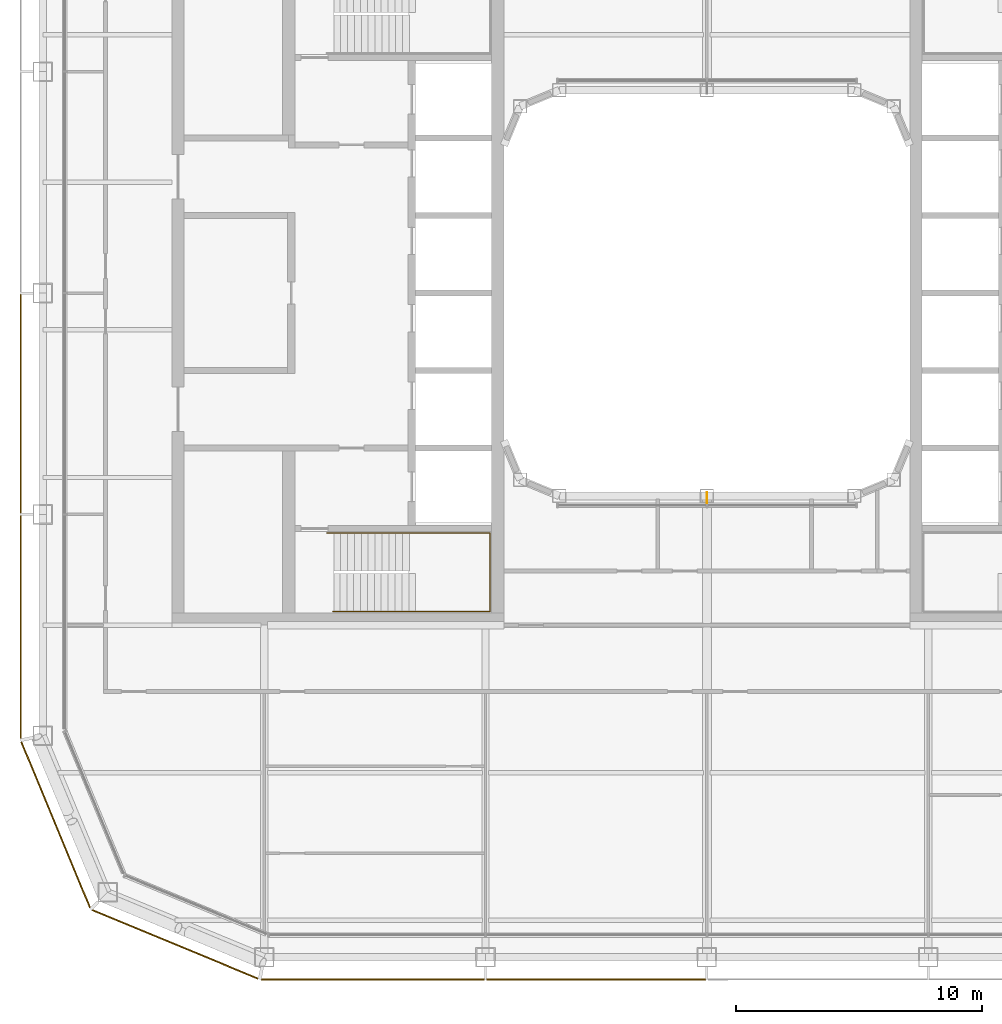
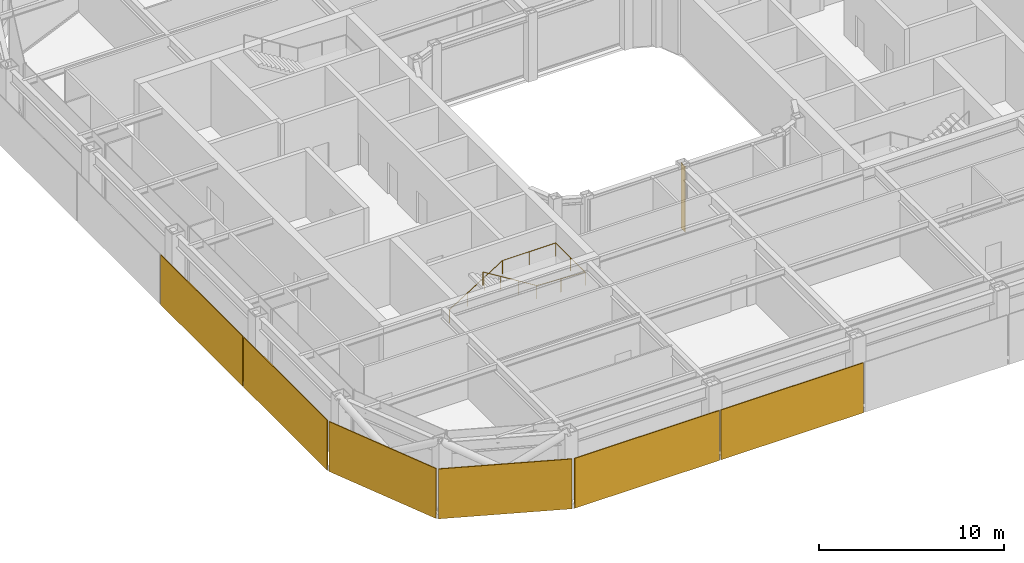
# One storey, part 19 of 23: 6 coverings, 1 railing, 1 shading device.
"""IFC4 building model written with IfcOpenShell, lengths in metres."""

from ifc_helpers import new_model, si_unit, direction, frame, origin, origin_2d, place, context, subcontext, project, spatial, rectangle, circle, extrude, material, layer, layer_set, type_object, element, save


model = new_model("IFC4")

# Units and contexts
model_context = context("Model", 3, precision=1e-05, world=origin(), true_north=direction((0.0, 1.0)))
body_context = subcontext(model_context, "Body", "Model", "MODEL_VIEW")
ifc_project = project(units=[si_unit("LENGTHUNIT", "METRE"), si_unit("AREAUNIT", "SQUARE_METRE"), si_unit("VOLUMEUNIT", "CUBIC_METRE"), si_unit("PLANEANGLEUNIT", "RADIAN"), si_unit("MASSUNIT", "GRAM", prefix="KILO")], contexts=[model_context])

# Site, building, storey
site_placement = place(None, origin())
site = spatial("IfcSite", under=ifc_project, at=site_placement, CompositionType="ELEMENT")
building_placement = place(site_placement, origin())
building = spatial("IfcBuilding", under=site, at=building_placement, Name="Siwar Civic Tower", CompositionType="ELEMENT")
storey_placement = place(building_placement, frame((0.0, 0.0, 260.199951171875)))
storey = spatial("IfcBuildingStorey", under=building, at=storey_placement, Name="L56", CompositionType="ELEMENT", Elevation=260.199951171875)

# Railing
ifc_material_1 = material(Name="Stainless steel", Category="steel")
railing_type = type_object("IfcRailingType", Name="CORE-STAIR-HANDRAIL", PredefinedType="HANDRAIL", material=ifc_material_1)
railing_placement = place(storey_placement, frame((-15.449951171875, -9.758056640625, 0.173095703125)))
element("IfcRailing", 1, at=railing_placement, inside=storey, type_object=railing_type, Name="Stair handrail ST2", PredefinedType="HANDRAIL", context=body_context, shape_type="SweptSolid", body=[
    extrude(circle(Radius=0.02001953125, at=origin_2d()), frame((0.0, 0.0, 0.8798828125), z_axis=(0.847063342986, 0.0, 0.531491950051), x_axis=(0.0, 1.0, 0.0)), (0.0, 0.0, 1.0), 3.90771484375),
    extrude(circle(Radius=0.02001953125, at=origin_2d()), frame((3.31005859375, 0.0, 2.956787109375), z_axis=(1.0, 0.0, 0.0), x_axis=(0.0, 1.0, 0.0)), (0.0, 0.0, 1.0), 3.331787109375),
    extrude(circle(Radius=0.02001953125, at=origin_2d()), frame((6.641845703125, 0.0, 2.956787109375), z_axis=(0.0, -1.0, 0.0), x_axis=(1.0, 0.0, 0.0)), (0.0, 0.0, 1.0), 3.183837890625),
    extrude(circle(Radius=0.02001953125, at=origin_2d()), frame((6.641845703125, -3.183837890625, 2.956787109375), z_axis=(-0.99837434197, 0.0, 0.056997134106), x_axis=(0.0, -1.0, 0.0)), (0.0, 0.0, 1.0), 3.036865234375),
    extrude(circle(Radius=0.02001953125, at=origin_2d()), frame((3.60986328125, -3.183837890625, 3.1298828125), z_axis=(-0.850606129759, 0.0, 0.525803396734), x_axis=(0.0, -1.0, 0.0)), (0.0, 0.0, 1.0), 3.949951171875),
    extrude(circle(Radius=0.02001953125, at=origin_2d()), origin(), (0.0, 0.0, 1.0), 0.85986328125),
    extrude(circle(Radius=0.02001953125, at=origin_2d()), frame((1.103271484375, 0.0, 0.6923828125)), (0.0, 0.0, 1.0), 0.85986328125),
    extrude(circle(Radius=0.02001953125, at=origin_2d()), frame((2.206787109375, 0.0, 1.384521484375)), (0.0, 0.0, 1.0), 0.85986328125),
    extrude(circle(Radius=0.02001953125, at=origin_2d()), frame((3.31005859375, 0.0, 2.076904296875)), (0.0, 0.0, 1.0), 0.85986328125),
    extrude(circle(Radius=0.02001953125, at=origin_2d()), frame((4.97607421875, 0.0, 2.076904296875)), (0.0, 0.0, 1.0), 0.85986328125),
    extrude(circle(Radius=0.02001953125, at=origin_2d()), frame((6.641845703125, 0.0, 2.076904296875)), (0.0, 0.0, 1.0), 0.85986328125),
    extrude(circle(Radius=0.02001953125, at=origin_2d()), frame((6.641845703125, -1.591796875, 2.076904296875)), (0.0, 0.0, 1.0), 0.85986328125),
    extrude(circle(Radius=0.02001953125, at=origin_2d()), frame((6.641845703125, -3.183837890625, 2.076904296875)), (0.0, 0.0, 1.0), 0.85986328125),
    extrude(circle(Radius=0.02001953125, at=origin_2d()), frame((5.1259765625, -3.183837890625, 2.16357421875)), (0.0, 0.0, 1.0), 0.85986328125),
    extrude(circle(Radius=0.02001953125, at=origin_2d()), frame((3.60986328125, -3.183837890625, 2.25)), (0.0, 0.0, 1.0), 0.85986328125),
    extrude(circle(Radius=0.02001953125, at=origin_2d()), frame((2.489990234375, -3.183837890625, 2.9423828125)), (0.0, 0.0, 1.0), 0.85986328125),
    extrude(circle(Radius=0.02001953125, at=origin_2d()), frame((1.369873046875, -3.183837890625, 3.634521484375)), (0.0, 0.0, 1.0), 0.85986328125),
    extrude(circle(Radius=0.02001953125, at=origin_2d()), frame((0.25, -3.183837890625, 4.326904296875)), (0.0, 0.0, 1.0), 0.85986328125),
])

# Shading device
ifc_material_2 = material(Name="Aluminium 6063-T6", Category="aluminium")
ifc_layer_1 = layer(ifc_material_2, 0.02001953125)
ifc_layer_set_1 = layer_set([ifc_layer_1], Name="Aluminium 6063-T6")
shading_device_type = type_object("IfcShadingDeviceType", Name="ENV-FIN", PredefinedType="JALOUSIE", material=ifc_layer_set_1)
shading_device_placement = place(storey_placement, frame((0.0, -8.320068359375, 0.0), z_axis=(0.0, 0.0, 1.0), x_axis=(1.0, 0.0, 0.0)))
element("IfcShadingDevice", 2, at=shading_device_placement, inside=storey, type_object=shading_device_type, Name="SUNSHADE fin WS 1", PredefinedType="JALOUSIE", context=body_context, shape_type="SweptSolid", body=[
    extrude(rectangle(XDim=0.02001953125, YDim=0.449951171875, at=origin_2d()), origin(), (0.0, 0.0, 1.0), 4.35009765625),
])

# Coverings
ifc_material_3 = material(Name="Perforated aluminium cassette, pale metal", Category="aluminium")
ifc_layer_2 = layer(ifc_material_3, 0.050048828125)
ifc_layer_set_2 = layer_set([ifc_layer_2], Name="Perforated aluminium cassette, pale metal")
covering_type_1 = type_object("IfcCoveringType", Name="ENV-OUTER SKIN OS-3", PredefinedType="CLADDING", material=ifc_layer_set_2)
covering_1_placement = place(storey_placement, frame((-27.89990234375, -4.5, -0.14990234375), z_axis=(0.0, 0.0, 1.0), x_axis=(0.0, -1.0, 0.0)))
element("IfcCovering", 3, at=covering_1_placement, inside=storey, type_object=covering_type_1, Name="OUTER SKIN OS-3 W 3", PredefinedType="CLADDING", context=body_context, shape_type="SweptSolid", body=[
    extrude(rectangle(XDim=8.89990234375, YDim=0.050048828125, at=origin_2d()), origin(), (0.0, 0.0, 1.0), 3.300048828125),
])
covering_2_placement = place(storey_placement, frame((-27.89990234375, -13.57958984375, -0.14990234375), z_axis=(0.0, 0.0, 1.0), x_axis=(0.0, -1.0, 0.0)))
element("IfcCovering", 4, at=covering_2_placement, inside=storey, type_object=covering_type_1, Name="OUTER SKIN OS-3 W 4", PredefinedType="CLADDING", context=body_context, shape_type="SweptSolid", body=[
    extrude(rectangle(XDim=9.05908203125, YDim=0.050048828125, at=origin_2d()), origin(), (0.0, 0.0, 1.0), 3.300048828125),
])
ifc_material_4 = material(Name="Perforated aluminium cassette, pale metal", Category="aluminium")
ifc_layer_3 = layer(ifc_material_4, 0.054931640625)
ifc_layer_set_3 = layer_set([ifc_layer_3], Name="Perforated aluminium cassette, pale metal")
covering_type_2 = type_object("IfcCoveringType", Name="ENV-OUTER SKIN OS-4", PredefinedType="CLADDING", material=ifc_layer_set_3)
covering_3_placement = place(storey_placement, frame((-13.57958984375, -27.89990234375, -0.14990234375), z_axis=(0.0, 0.0, 1.0), x_axis=(1.0, 0.0, 0.0)))
element("IfcCovering", 5, at=covering_3_placement, inside=storey, type_object=covering_type_2, Name="OUTER SKIN OS-4 S 1", PredefinedType="CLADDING", context=body_context, shape_type="SweptSolid", body=[
    extrude(rectangle(XDim=9.05908203125, YDim=0.054931640625, at=origin_2d()), origin(), (0.0, 0.0, 1.0), 3.300048828125),
])
covering_4_placement = place(storey_placement, frame((-4.5, -27.89990234375, -0.14990234375), z_axis=(0.0, 0.0, 1.0), x_axis=(1.0, 0.0, 0.0)))
element("IfcCovering", 6, at=covering_4_placement, inside=storey, type_object=covering_type_2, Name="OUTER SKIN OS-4 S 2", PredefinedType="CLADDING", context=body_context, shape_type="SweptSolid", body=[
    extrude(rectangle(XDim=8.89990234375, YDim=0.054931640625, at=origin_2d()), origin(), (0.0, 0.0, 1.0), 3.300048828125),
])
for number, where, z_axis, x_axis, name in (
    (7, (-26.476318359375, -21.615966796875, -0.14990234375), (0.0, 0.0, 1.0), (0.382683432365, -0.923879532511, 0.0), "OUTER SKIN OS-4 SW1 1"),
    (8, (-21.615966796875, -26.476318359375, -0.14990234375), (0.0, 0.0, 1.0), (0.923879532511, -0.382683432365, 0.0), "OUTER SKIN OS-4 SW2 1"),
):
    element("IfcCovering", number, at=place(storey_placement, frame(where, z_axis=z_axis, x_axis=x_axis)), inside=storey, type_object=covering_type_2, Name=name, PredefinedType="CLADDING", context=body_context, shape_type="SweptSolid", body=[
        extrude(rectangle(XDim=7.300048828125, YDim=0.054931640625, at=origin_2d()), origin(), (0.0, 0.0, 1.0), 3.300048828125),
    ])

save(model, "model.ifc")
